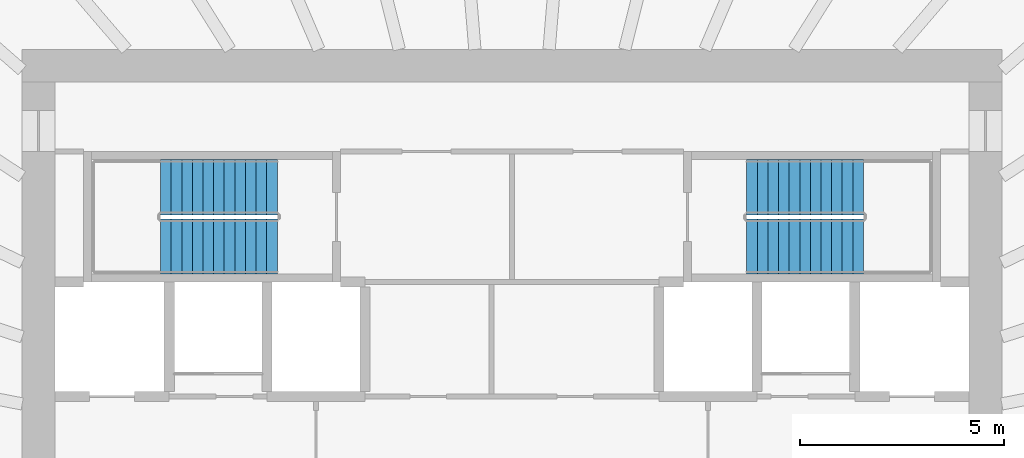
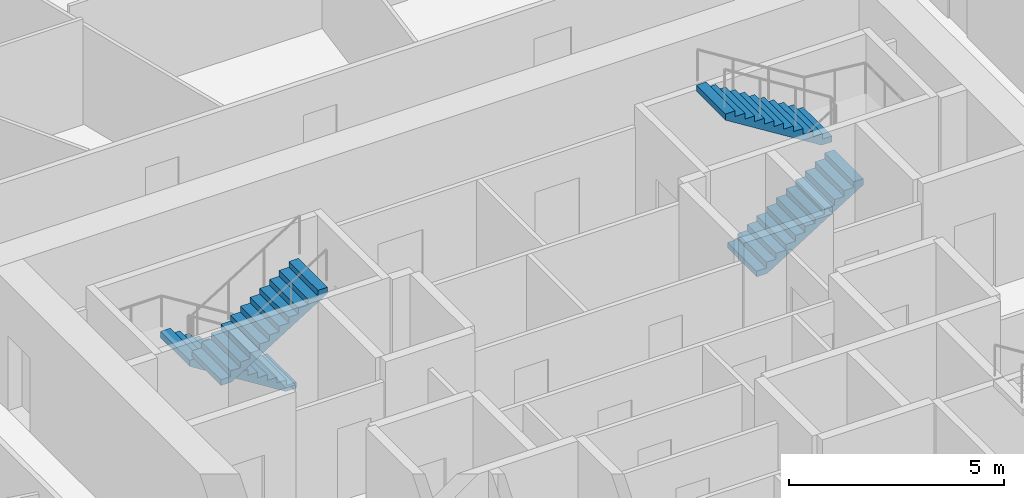
# One storey, part 10 of 11: 4 stair flights, 2 elements without a shape of their own.
"""IFC4 building model written with IfcOpenShell, lengths in metres."""

import ifcopenshell
import ifcopenshell.guid

model = None  # the IFC model being written
_history = None  # IfcOwnerHistory: only IFC2X3 demands one
_inside = {}  # id of a spatial element -> (the spatial element, [elements in it])
_under = {}  # id of a project, library or spatial element -> (it, [spatial elements below it])
_declared = {}  # id of a project -> (the project, [libraries it declares])
_typed = {}  # id of a type object -> (the type object, [elements of that type])
_made_of = {}  # id of a material, layer set ... -> (it, [elements and type objects made of it])


def new_model(schema):
    """Start an empty IFC model of exactly this schema.

    Asked for "IFC4X3", IfcOpenShell would pick the latest addendum, in which some entities
    have other attributes; the version numbers below select the first issue.
    IFC2X3 requires an IfcOwnerHistory on every rooted entity: one is made here for all.
    """
    global model, _history
    if schema == "IFC4X3":
        model = ifcopenshell.file(schema_version=(4, 3, 0, 0))
    else:
        model = ifcopenshell.file(schema=schema)
    _inside.clear()
    _under.clear()
    _declared.clear()
    _typed.clear()
    _made_of.clear()
    _history = None
    if model.schema == "IFC2X3":
        org = make("IfcOrganization", Name="unknown")
        user = make(
            "IfcPersonAndOrganization",
            ThePerson=make("IfcPerson", FamilyName="unknown"),
            TheOrganization=org,
        )
        app = make(
            "IfcApplication",
            ApplicationDeveloper=org,
            Version="unknown",
            ApplicationFullName="unknown",
            ApplicationIdentifier="unknown",
        )
        _history = make(
            "IfcOwnerHistory",
            OwningUser=user,
            OwningApplication=app,
            ChangeAction="ADDED",
            CreationDate=0,
        )
    return model


def make(cls, **values):
    """One entity of the class cls with the attributes given. An attribute that is None is left unset."""
    return model.create_entity(
        cls, **{name: value for name, value in values.items() if value is not None}
    )


def rooted(cls, **values):
    """An entity with a GlobalId (a new one), such as an element, a storey or a relation."""
    return make(cls, GlobalId=ifcopenshell.guid.new(), OwnerHistory=_history, **values)


def si_unit(unit_type, name, prefix=None):
    """IfcSIUnit, for example si_unit("LENGTHUNIT", "METRE", prefix="MILLI")."""
    return make("IfcSIUnit", UnitType=unit_type, Prefix=prefix, Name=name)


def assignment(units):
    """IfcUnitAssignment: the units of a project."""
    return None if units is None else make("IfcUnitAssignment", Units=units)


def point(xyz):
    """IfcCartesianPoint."""
    return None if xyz is None else make("IfcCartesianPoint", Coordinates=xyz)


def direction(xyz):
    """IfcDirection."""
    return None if xyz is None else make("IfcDirection", DirectionRatios=xyz)


def frame(location, z_axis=None, x_axis=None):
    """IfcAxis2Placement3D, a coordinate frame: its origin and axes. An axis left out is left unset."""
    return make(
        "IfcAxis2Placement3D",
        Location=point(location),
        Axis=direction(z_axis),
        RefDirection=direction(x_axis),
    )


def origin():
    """The frame at (0, 0, 0) with its axes left unset."""
    return frame((0.0, 0.0, 0.0))


def place(relative_to, where):
    """IfcLocalPlacement: puts the frame where relative to a parent placement (None: the world)."""
    return make(
        "IfcLocalPlacement", PlacementRelTo=relative_to, RelativePlacement=where
    )


def context(
    kind, dimensions, precision=None, world=None, true_north=None, identifier=None
):
    """IfcGeometricRepresentationContext, for example the 3D "Model" context."""
    return make(
        "IfcGeometricRepresentationContext",
        ContextIdentifier=identifier,
        ContextType=kind,
        CoordinateSpaceDimension=dimensions,
        Precision=precision,
        WorldCoordinateSystem=world,
        TrueNorth=true_north,
    )


def subcontext(parent, identifier, kind, view, scale=None):
    """IfcGeometricRepresentationSubContext, for example "Body" below "Model"."""
    return make(
        "IfcGeometricRepresentationSubContext",
        ContextIdentifier=identifier,
        ContextType=kind,
        ParentContext=parent,
        TargetScale=scale,
        TargetView=view,
    )


def project(units=None, contexts=None):
    """IfcProject with its units and contexts."""
    return rooted(
        "IfcProject",
        Name="project",
        RepresentationContexts=contexts,
        UnitsInContext=assignment(units),
    )


def spatial(cls, under=None, at=None, **own):
    """A site, building, storey or space (cls), placed at a placement, below another one or the project."""
    s = rooted(cls, ObjectPlacement=at, **own)
    if under is not None:
        _under.setdefault(under.id(), (under, []))[1].append(s)
    return s


def polyline(points):
    """IfcPolyline through the points."""
    return make("IfcPolyline", Points=[point(p) for p in points])


def outline(outer, holes=None, kind="AREA"):
    """IfcArbitraryClosedProfileDef: a profile drawn as a closed curve; with holes, ...WithVoids."""
    if holes is None:
        return make("IfcArbitraryClosedProfileDef", ProfileType=kind, OuterCurve=outer)
    return make(
        "IfcArbitraryProfileDefWithVoids",
        ProfileType=kind,
        OuterCurve=outer,
        InnerCurves=holes,
    )


def extrude(swept, where, along, depth):
    """IfcExtrudedAreaSolid: the profile swept, set in the frame where, extruded along a direction by depth."""
    return make(
        "IfcExtrudedAreaSolid",
        SweptArea=swept,
        Position=where,
        ExtrudedDirection=direction(along),
        Depth=depth,
    )


def shape(context_of_items, identifier, shape_type, items):
    """IfcShapeRepresentation: the items that make up one representation, for example the "Body"."""
    return make(
        "IfcShapeRepresentation",
        ContextOfItems=context_of_items,
        RepresentationIdentifier=identifier,
        RepresentationType=shape_type,
        Items=items,
    )


def source(mapping_origin, context_of_items, identifier, shape_type, items):
    """IfcRepresentationMap: a shape defined once, which mapped items show again and again."""
    return make(
        "IfcRepresentationMap",
        MappingOrigin=mapping_origin,
        MappedRepresentation=shape(context_of_items, identifier, shape_type, items),
    )


def transform(
    local_origin,
    x_axis=None,
    y_axis=None,
    z_axis=None,
    scale=None,
    scale2=None,
    scale3=None,
    uniform=True,
):
    """IfcCartesianTransformationOperator3D, or its non-uniform kind. x_axis, y_axis, z_axis: its Axis1, 2, 3."""
    if uniform:
        return make(
            "IfcCartesianTransformationOperator3D",
            Axis1=direction(x_axis),
            Axis2=direction(y_axis),
            LocalOrigin=point(local_origin),
            Scale=scale,
            Axis3=direction(z_axis),
        )
    return make(
        "IfcCartesianTransformationOperator3DnonUniform",
        Axis1=direction(x_axis),
        Axis2=direction(y_axis),
        LocalOrigin=point(local_origin),
        Scale=scale,
        Axis3=direction(z_axis),
        Scale2=scale2,
        Scale3=scale3,
    )


def mapped(mapping_source, mapping_target):
    """IfcMappedItem: shows the shape of a source again, moved by a transform."""
    return make(
        "IfcMappedItem", MappingSource=mapping_source, MappingTarget=mapping_target
    )


def material(Name=None, Category=None):
    """IfcMaterial."""
    return make("IfcMaterial", Name=Name, Category=Category)


def made_of(thing, what):
    """Note that an element or type object is made of a material, layer set ...; save() writes the relation."""
    if what is not None:
        _made_of.setdefault(what.id(), (what, []))[1].append(thing)
    return thing


def type_object(cls, material=None, **own):
    """A type object (cls), such as IfcWallType, which elements share."""
    return made_of(rooted(cls, **own), material)


def element(
    cls,
    number,
    at=None,
    inside=None,
    cuts=None,
    type_object=None,
    material=None,
    context=None,
    identifier="Body",
    shape_type=None,
    held_by="IfcProductDefinitionShape",
    body=None,
    shapes=None,
    **own,
):
    """One element of the class cls, such as IfcWall. Its Tag is "e" and its number.

    at: its placement. inside: the storey or other place that contains it. cuts: it is an
    opening in that element (IfcRelVoidsElement). A single representation is given by context,
    identifier, shape_type and body (its items); several are given by shapes. held_by: the class
    of the entity that holds the representations. save() writes the other relations.
    """
    e = rooted(cls, Tag="e%d" % number, ObjectPlacement=at, **own)
    if body is not None:
        shapes = [shape(context, identifier, shape_type, body)]
    if shapes is not None:
        e.Representation = make(held_by, Representations=shapes)
    if inside is not None:
        _inside.setdefault(inside.id(), (inside, []))[1].append(e)
    if cuts is not None:
        rooted(
            "IfcRelVoidsElement", RelatingBuildingElement=cuts, RelatedOpeningElement=e
        )
    if type_object is not None:
        _typed.setdefault(type_object.id(), (type_object, []))[1].append(e)
    return made_of(e, material)


def aggregate(whole, parts):
    """IfcRelAggregates: a whole, such as a stair, and the parts it consists of."""
    return rooted("IfcRelAggregates", RelatingObject=whole, RelatedObjects=parts)


def save(model, path):
    """Write the relations noted so far, then the file.

    IfcRelAggregates (storeys below a building ...), IfcRelContainedInSpatialStructure (elements
    in a storey), IfcRelDefinesByType, IfcRelAssociatesMaterial and IfcRelDeclares: one each for
    every whole, place, type object, material and project.
    """
    for whole, parts in _under.values():
        aggregate(whole, parts)
    for where, things in _inside.values():
        rooted(
            "IfcRelContainedInSpatialStructure",
            RelatedElements=things,
            RelatingStructure=where,
        )
    for kind, things in _typed.values():
        rooted("IfcRelDefinesByType", RelatedObjects=things, RelatingType=kind)
    for what, things in _made_of.values():
        rooted("IfcRelAssociatesMaterial", RelatedObjects=things, RelatingMaterial=what)
    for by, libraries in _declared.values():
        rooted("IfcRelDeclares", RelatingContext=by, RelatedDefinitions=libraries)
    model.write(path)


model = new_model("IFC4")

# Units and contexts
model_context = context("Model", 3, precision=1e-05, world=origin(), true_north=direction((0.0, 1.0)))
body_context = subcontext(model_context, "Body", "Model", "MODEL_VIEW")
ifc_project = project(units=[si_unit("LENGTHUNIT", "METRE"), si_unit("AREAUNIT", "SQUARE_METRE"), si_unit("VOLUMEUNIT", "CUBIC_METRE"), si_unit("PLANEANGLEUNIT", "RADIAN"), si_unit("MASSUNIT", "GRAM", prefix="KILO")], contexts=[model_context])

# Site, building, storey
site_placement = place(None, origin())
site = spatial("IfcSite", under=ifc_project, at=site_placement, CompositionType="ELEMENT")
building_placement = place(site_placement, origin())
building = spatial("IfcBuilding", under=site, at=building_placement, Name="Embergate Tower", CompositionType="ELEMENT")
storey_placement = place(building_placement, frame((0.0, 0.0, 230.699951171875)))
storey = spatial("IfcBuildingStorey", under=building, at=storey_placement, Name="L53", CompositionType="ELEMENT", Elevation=230.699951171875)

# Stair, stair flights
ifc_material_1 = material(Name="Exit stair")
stair_type = type_object("IfcStairType", Name="Exit stair", PredefinedType="HALF_TURN_STAIR", material=ifc_material_1)
stair_1_placement = place(storey_placement, origin())
stair_1 = element("IfcStair", 1, at=stair_1_placement, inside=storey, type_object=stair_type, Name="L53 Exit stair 1", PredefinedType="HALF_TURN_STAIR")
ifc_material_2 = material(Name="Concrete C40", Category="concrete")
stair_flight_type = type_object("IfcStairFlightType", Name="Stair flight reinforced concrete", PredefinedType="STRAIGHT", material=ifc_material_2)
shared_shape = source(origin(), body_context, "Body", "SweptSolid", [
    extrude(outline(polyline([(0.0, 0.0), (0.0, 0.16259765625), (0.260009765625, 0.16259765625), (0.260009765625, 0.324951171875), (0.52001953125, 0.324951171875), (0.52001953125, 0.487548828125), (0.780029296875, 0.487548828125), (0.780029296875, 0.64990234375), (1.0400390625, 0.64990234375), (1.0400390625, 0.8125), (1.300048828125, 0.8125), (1.300048828125, 0.97509765625), (1.56005859375, 0.97509765625), (1.56005859375, 1.137451171875), (1.820068359375, 1.137451171875), (1.820068359375, 1.300048828125), (2.080078125, 1.300048828125), (2.080078125, 1.46240234375), (2.340087890625, 1.46240234375), (2.340087890625, 1.625), (2.60009765625, 1.625), (2.60009765625, 1.78759765625), (2.860107421875, 1.78759765625), (2.860107421875, 1.949951171875), (2.860107421875, 1.61083984375), (0.28271484375, 0.0), (0.0, 0.0)])), frame((0.0, 0.675048828125, 0.0), z_axis=(0.0, -1.0, 0.0), x_axis=(1.0, 0.0, 0.0)), (0.0, 0.0, 1.0), 1.35009765625),
])
stair_flight_1_placement = place(storey_placement, frame((-5.75, 7.625, 0.0), z_axis=(0.0, 0.0, 1.0), x_axis=(-1.0, 0.0, 0.0)))
stair_flight_1 = element("IfcStairFlight", 2, at=stair_flight_1_placement, type_object=stair_flight_type, Name="ST1 flight 1", NumberOfRisers=12, NumberOfTreads=11, PredefinedType="STRAIGHT", RiserHeight=0.1625, TreadLength=0.26, context=body_context, shape_type="MappedRepresentation", body=[
    mapped(shared_shape, transform((0.0, 0.0, 0.0))),
])
stair_flight_2_placement = place(storey_placement, frame((-8.610107421875, 6.175048828125, 1.949951171875), z_axis=(0.0, 0.0, 1.0), x_axis=(1.0, 0.0, 0.0)))
stair_flight_2 = element("IfcStairFlight", 3, at=stair_flight_2_placement, type_object=stair_flight_type, Name="ST1 flight 2", NumberOfRisers=12, NumberOfTreads=11, PredefinedType="STRAIGHT", RiserHeight=0.1625, TreadLength=0.26, context=body_context, shape_type="MappedRepresentation", body=[
    mapped(shared_shape, transform((0.0, 0.0, 0.0))),
])
aggregate(stair_1, [stair_flight_1, stair_flight_2])

stair_2_placement = place(storey_placement, origin())
stair_2 = element("IfcStair", 4, at=stair_2_placement, inside=storey, type_object=stair_type, Name="L53 Exit stair 2", PredefinedType="HALF_TURN_STAIR")
stair_flight_3_placement = place(storey_placement, frame((5.75, 6.175048828125, 0.0), z_axis=(0.0, 0.0, 1.0), x_axis=(1.0, 0.0, 0.0)))
stair_flight_3 = element("IfcStairFlight", 5, at=stair_flight_3_placement, type_object=stair_flight_type, Name="ST2 flight 1", NumberOfRisers=12, NumberOfTreads=11, PredefinedType="STRAIGHT", RiserHeight=0.1625, TreadLength=0.26, context=body_context, shape_type="MappedRepresentation", body=[
    mapped(shared_shape, transform((0.0, 0.0, 0.0))),
])
stair_flight_4_placement = place(storey_placement, frame((8.610107421875, 7.625, 1.949951171875), z_axis=(0.0, 0.0, 1.0), x_axis=(-1.0, 0.0, 0.0)))
stair_flight_4 = element("IfcStairFlight", 6, at=stair_flight_4_placement, type_object=stair_flight_type, Name="ST2 flight 2", NumberOfRisers=12, NumberOfTreads=11, PredefinedType="STRAIGHT", RiserHeight=0.1625, TreadLength=0.26, context=body_context, shape_type="MappedRepresentation", body=[
    mapped(shared_shape, transform((0.0, 0.0, 0.0))),
])
aggregate(stair_2, [stair_flight_3, stair_flight_4])

save(model, "model.ifc")
